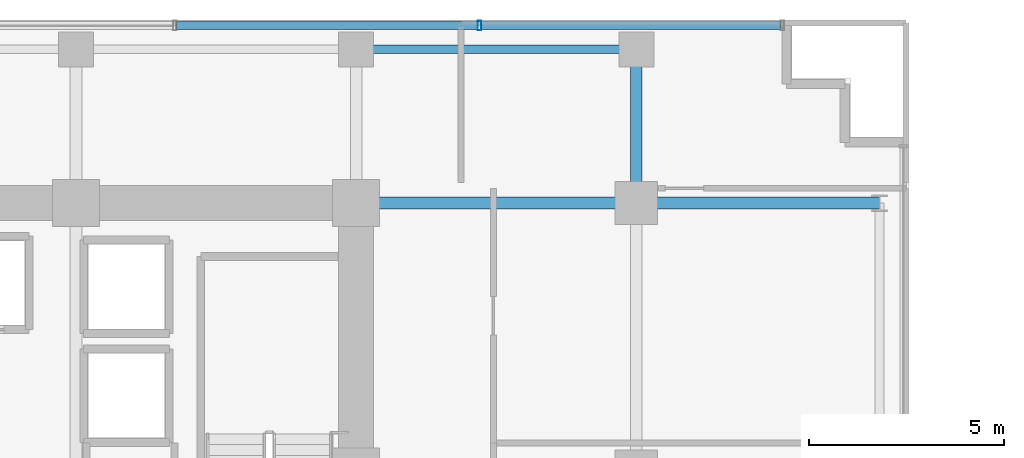
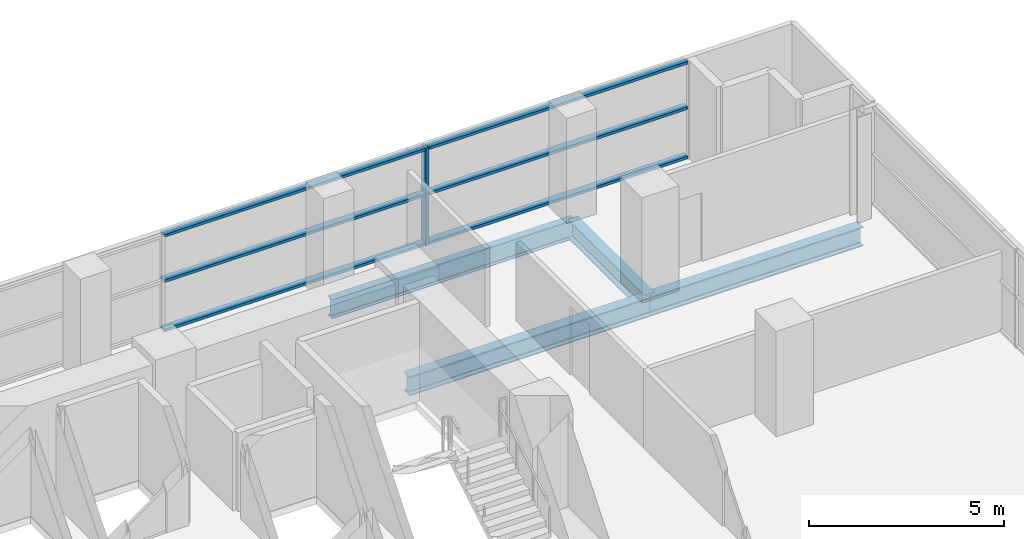
# One storey, part 19 of 29: 7 members, 4 beams, 1 element without a shape of its own.
"""IFC4 building model written with IfcOpenShell, lengths in metres."""

from ifc_helpers import new_model, si_unit, direction, frame, origin, origin_2d, place, context, subcontext, project, spatial, hollow_rectangle, i_section, extrude, source, transform, mapped, material, layer, layer_set, material_profile, profile_set, type_object, element, aggregate, save


model = new_model("IFC4")

# Units and contexts
model_context = context("Model", 3, precision=1e-05, world=origin(), true_north=direction((0.0, 1.0)))
body_context = subcontext(model_context, "Body", "Model", "MODEL_VIEW")
ifc_project = project(units=[si_unit("LENGTHUNIT", "METRE"), si_unit("AREAUNIT", "SQUARE_METRE"), si_unit("VOLUMEUNIT", "CUBIC_METRE"), si_unit("PLANEANGLEUNIT", "RADIAN"), si_unit("MASSUNIT", "GRAM", prefix="KILO")], contexts=[model_context])

# Site, building, storey
site_placement = place(None, origin())
site = spatial("IfcSite", under=ifc_project, at=site_placement, CompositionType="ELEMENT")
building_placement = place(site_placement, origin())
building = spatial("IfcBuilding", under=site, at=building_placement, Name="Zarnakvel Exchange Tower", CompositionType="ELEMENT")
storey_placement = place(building_placement, frame((0.0, 0.0, 37.300048828125)))
storey = spatial("IfcBuildingStorey", under=building, at=storey_placement, Name="L09", CompositionType="ELEMENT", Elevation=37.300048828125)

# Beams
ifc_material_1 = material(Name="Steel S355", Category="steel")
ifc_material_profile_1 = material_profile(ifc_material_1, i_section(OverallWidth=0.300048828125, OverallDepth=0.60009765625, WebThickness=0.015380859375, FlangeThickness=0.030029296875, FilletRadius=0.027099609375, at=origin_2d()))
ifc_profile_set_1 = profile_set([ifc_material_profile_1], Name="Steel S355")
beam_type_1 = type_object("IfcBeamType", Name="G-04", PredefinedType="BEAM", material=ifc_profile_set_1)
beam_1_placement = place(storey_placement, frame((14.39990234375, 13.5, -0.525146484375), z_axis=(1.0, 0.0, 0.0), x_axis=(0.0, 1.0, 0.0)))
element("IfcBeam", 1, at=beam_1_placement, inside=storey, type_object=beam_type_1, Name="L09 Tower E-W Frame Beam", PredefinedType="BEAM", context=body_context, shape_type="SweptSolid", body=[
    extrude(i_section(OverallWidth=0.300048828125, OverallDepth=0.60009765625, WebThickness=0.015380859375, FlangeThickness=0.030029296875, FilletRadius=0.027099609375, at=origin_2d()), origin(), (0.0, 0.0, 1.0), 7.2001953125),
])
beam_2_placement = place(storey_placement, frame((21.60009765625, 13.5, -0.525146484375), z_axis=(1.0, 0.0, 0.0), x_axis=(0.0, 1.0, 0.0)))
element("IfcBeam", 2, at=beam_2_placement, inside=storey, type_object=beam_type_1, Name="L09 Tower E-W Frame Beam", PredefinedType="BEAM", context=body_context, shape_type="SweptSolid", body=[
    extrude(i_section(OverallWidth=0.300048828125, OverallDepth=0.60009765625, WebThickness=0.015380859375, FlangeThickness=0.030029296875, FilletRadius=0.027099609375, at=origin_2d()), origin(), (0.0, 0.0, 1.0), 6.25),
])
beam_3_placement = place(storey_placement, frame((21.60009765625, 13.5, -0.525146484375), z_axis=(0.0, 1.0, 0.0), x_axis=(-1.0, 0.0, 0.0)))
element("IfcBeam", 3, at=beam_3_placement, inside=storey, type_object=beam_type_1, Name="L09 Tower N-S Frame Beam", PredefinedType="BEAM", context=body_context, shape_type="SweptSolid", body=[
    extrude(i_section(OverallWidth=0.300048828125, OverallDepth=0.60009765625, WebThickness=0.015380859375, FlangeThickness=0.030029296875, FilletRadius=0.027099609375, at=origin_2d()), origin(), (0.0, 0.0, 1.0), 3.949951171875),
])
ifc_material_profile_2 = material_profile(ifc_material_1, i_section(OverallWidth=0.219970703125, OverallDepth=0.60009765625, WebThickness=0.011962890625, FlangeThickness=0.01904296875, FilletRadius=0.02392578125, at=origin_2d()))
ifc_profile_set_2 = profile_set([ifc_material_profile_2], Name="Steel S355")
beam_type_2 = type_object("IfcBeamType", Name="SP-01", PredefinedType="SPANDREL", material=ifc_profile_set_2)
beam_4_placement = place(storey_placement, frame((14.39990234375, 17.449951171875, -0.525146484375), z_axis=(1.0, 0.0, 0.0), x_axis=(0.0, 1.0, 0.0)))
element("IfcBeam", 4, at=beam_4_placement, inside=storey, type_object=beam_type_2, Name="L09 Tower E-W Frame Beam", PredefinedType="SPANDREL", context=body_context, shape_type="SweptSolid", body=[
    extrude(i_section(OverallWidth=0.219970703125, OverallDepth=0.60009765625, WebThickness=0.011962890625, FlangeThickness=0.01904296875, FilletRadius=0.02392578125, at=origin_2d()), origin(), (0.0, 0.0, 1.0), 7.2001953125),
])

# Curtain wall, members
ifc_material_2 = material(Name="Architectural Bronze Anodised Aluminium", Category="aluminium")
ifc_layer = layer(ifc_material_2, 0.239990234375)
ifc_layer_set = layer_set([ifc_layer], Name="Architectural Bronze Anodised Aluminium")
curtain_wall_type = type_object("IfcCurtainWallType", Name="CW-02", PredefinedType="NOTDEFINED", material=ifc_layer_set)
curtain_wall_placement = place(storey_placement, origin())
curtain_wall = element("IfcCurtainWall", 5, at=curtain_wall_placement, inside=storey, type_object=curtain_wall_type, Name="L09 Curtain Wall CW-L09-N1 (CW-02)", PredefinedType="NOTDEFINED")
ifc_material_profile_3 = material_profile(ifc_material_2, hollow_rectangle(XDim=0.199951171875, YDim=0.0849609375, WallThickness=0.0048828125, at=origin_2d()))
ifc_profile_set_3 = profile_set([ifc_material_profile_3], Name="Architectural Bronze Anodised Aluminium")
member_type_1 = type_object("IfcMemberType", Name="CWT-02", PredefinedType="USERDEFINED", material=ifc_profile_set_3)
shared_shape_1 = source(origin(), body_context, "Body", "SweptSolid", [
    extrude(hollow_rectangle(XDim=0.199951171875, YDim=0.0849609375, WallThickness=0.0048828125, at=origin_2d()), origin(), (0.0, 0.0, 1.0), 7.693603515625),
])
member_1_placement = place(storey_placement, frame((17.616455078125, 18.06005859375, 0.04248046875), z_axis=(1.0, 0.0, 0.0), x_axis=(0.0, 1.0, 0.0)))
member_1 = element("IfcMember", 6, at=member_1_placement, type_object=member_type_1, Name="CW-02 transom 7.1", ObjectType="TRANSOM", PredefinedType="USERDEFINED", context=body_context, shape_type="MappedRepresentation", body=[
    mapped(shared_shape_1, transform((0.0, 0.0, 0.0), x_axis=(1.0, 0.0, 0.0), y_axis=(0.0, 1.0, 0.0), z_axis=(0.0, 0.0, 1.0), scale=1.0)),
])
member_2_placement = place(storey_placement, frame((17.616455078125, 18.06005859375, 1.588623046875), z_axis=(1.0, 0.0, 0.0), x_axis=(0.0, 1.0, 0.0)))
member_2 = element("IfcMember", 7, at=member_2_placement, type_object=member_type_1, Name="CW-02 transom 7.2", ObjectType="TRANSOM", PredefinedType="USERDEFINED", context=body_context, shape_type="MappedRepresentation", body=[
    mapped(shared_shape_1, transform((0.0, 0.0, 0.0), x_axis=(1.0, 0.0, 0.0), y_axis=(0.0, 1.0, 0.0), z_axis=(0.0, 0.0, 1.0), scale=1.0)),
])
member_3_placement = place(storey_placement, frame((17.616455078125, 18.06005859375, 3.012451171875), z_axis=(1.0, 0.0, 0.0), x_axis=(0.0, 1.0, 0.0)))
member_3 = element("IfcMember", 8, at=member_3_placement, type_object=member_type_1, Name="CW-02 transom 7.3", ObjectType="TRANSOM", PredefinedType="USERDEFINED", context=body_context, shape_type="MappedRepresentation", body=[
    mapped(shared_shape_1, transform((0.0, 0.0, 0.0), x_axis=(1.0, 0.0, 0.0), y_axis=(0.0, 1.0, 0.0), z_axis=(0.0, 0.0, 1.0), scale=1.0)),
])
shared_shape_2 = source(origin(), body_context, "Body", "SweptSolid", [
    extrude(hollow_rectangle(XDim=0.199951171875, YDim=0.0849609375, WallThickness=0.0048828125, at=origin_2d()), origin(), (0.0, 0.0, 1.0), 7.738525390625),
])
member_4_placement = place(storey_placement, frame((9.787841796875, 18.06005859375, 0.04248046875), z_axis=(1.0, 0.0, 0.0), x_axis=(0.0, 1.0, 0.0)))
member_4 = element("IfcMember", 9, at=member_4_placement, type_object=member_type_1, Name="CW-02 transom 6.1", ObjectType="TRANSOM", PredefinedType="USERDEFINED", context=body_context, shape_type="MappedRepresentation", body=[
    mapped(shared_shape_2, transform((0.0, 0.0, 0.0), x_axis=(1.0, 0.0, 0.0), y_axis=(0.0, 1.0, 0.0), z_axis=(0.0, 0.0, 1.0), scale=1.0)),
])
member_5_placement = place(storey_placement, frame((9.787841796875, 18.06005859375, 1.588623046875), z_axis=(1.0, 0.0, 0.0), x_axis=(0.0, 1.0, 0.0)))
member_5 = element("IfcMember", 10, at=member_5_placement, type_object=member_type_1, Name="CW-02 transom 6.2", ObjectType="TRANSOM", PredefinedType="USERDEFINED", context=body_context, shape_type="MappedRepresentation", body=[
    mapped(shared_shape_2, transform((0.0, 0.0, 0.0), x_axis=(1.0, 0.0, 0.0), y_axis=(0.0, 1.0, 0.0), z_axis=(0.0, 0.0, 1.0), scale=1.0)),
])
member_6_placement = place(storey_placement, frame((9.787841796875, 18.06005859375, 3.012451171875), z_axis=(1.0, 0.0, 0.0), x_axis=(0.0, 1.0, 0.0)))
member_6 = element("IfcMember", 11, at=member_6_placement, type_object=member_type_1, Name="CW-02 transom 6.3", ObjectType="TRANSOM", PredefinedType="USERDEFINED", context=body_context, shape_type="MappedRepresentation", body=[
    mapped(shared_shape_2, transform((0.0, 0.0, 0.0), x_axis=(1.0, 0.0, 0.0), y_axis=(0.0, 1.0, 0.0), z_axis=(0.0, 0.0, 1.0), scale=1.0)),
])
ifc_material_profile_4 = material_profile(ifc_material_2, hollow_rectangle(XDim=0.239990234375, YDim=0.090087890625, WallThickness=0.006103515625, at=origin_2d()))
ifc_profile_set_4 = profile_set([ifc_material_profile_4], Name="Architectural Bronze Anodised Aluminium")
member_type_2 = type_object("IfcMemberType", Name="CWM-02", PredefinedType="MULLION", material=ifc_profile_set_4)
shared_shape_3 = source(origin(), body_context, "Body", "SweptSolid", [
    extrude(hollow_rectangle(XDim=0.239990234375, YDim=0.090087890625, WallThickness=0.006103515625, at=origin_2d()), origin(), (0.0, 0.0, 1.0), 3.054931640625),
])
member_7_placement = place(storey_placement, frame((17.571533203125, 18.06005859375, 0.0), z_axis=(0.0, 0.0, 1.0), x_axis=(0.0, 1.0, 0.0)))
member_7 = element("IfcMember", 12, at=member_7_placement, type_object=member_type_2, Name="CW-02 mullion 7", PredefinedType="MULLION", context=body_context, shape_type="MappedRepresentation", body=[
    mapped(shared_shape_3, transform((0.0, 0.0, 0.0), x_axis=(1.0, 0.0, 0.0), y_axis=(0.0, 1.0, 0.0), z_axis=(0.0, 0.0, 1.0), scale=1.0)),
])
aggregate(curtain_wall, [member_7, member_4, member_5, member_6, member_1, member_2, member_3])

save(model, "model.ifc")
